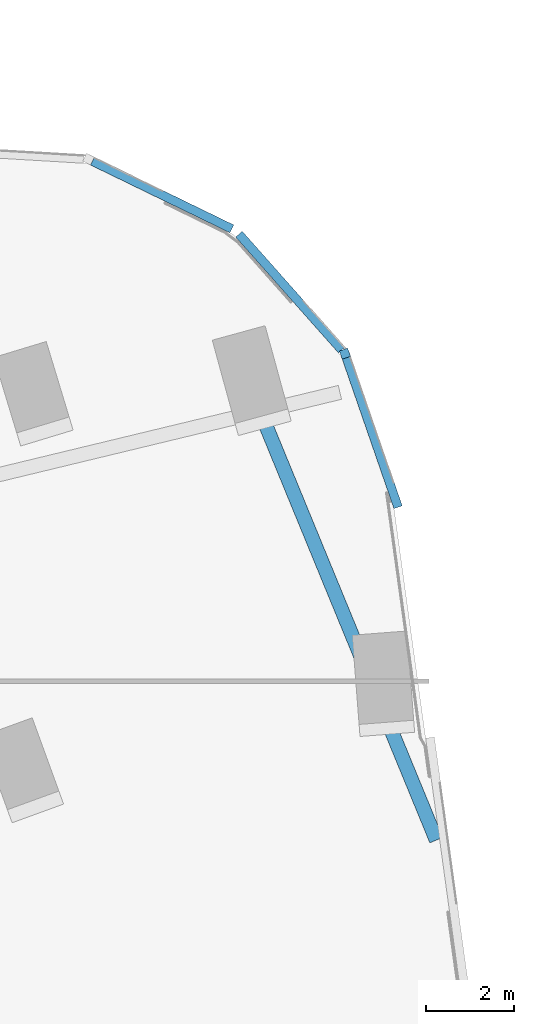
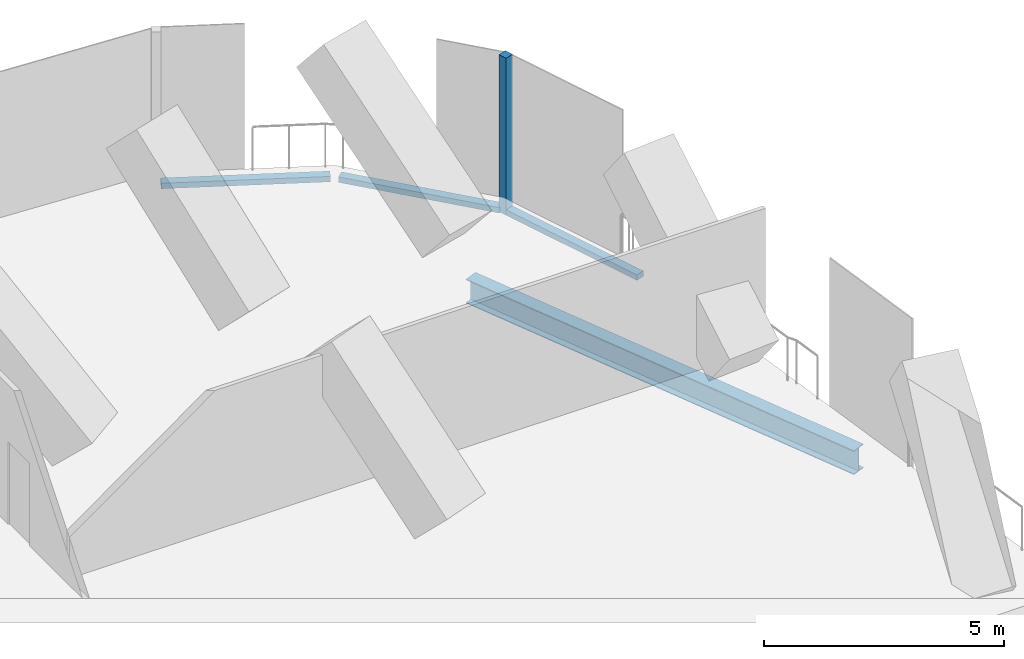
# One storey, part 12 of 29: 4 members, 1 beam, 3 elements without a shape of their own.
"""IFC4 building model written with IfcOpenShell, lengths in metres."""

from ifc_helpers import new_model, si_unit, direction, frame, origin, origin_2d, place, context, subcontext, project, spatial, rectangle, i_section, extrude, material, material_profile, profile_set, type_object, element, aggregate, save


model = new_model("IFC4")

# Units and contexts
model_context = context("Model", 3, precision=1e-05, world=origin(), true_north=direction((0.0, 1.0)))
body_context = subcontext(model_context, "Body", "Model", "MODEL_VIEW")
ifc_project = project(units=[si_unit("LENGTHUNIT", "METRE"), si_unit("AREAUNIT", "SQUARE_METRE"), si_unit("VOLUMEUNIT", "CUBIC_METRE"), si_unit("PLANEANGLEUNIT", "RADIAN"), si_unit("MASSUNIT", "GRAM", prefix="KILO")], contexts=[model_context])

# Site, building, storey
site_placement = place(None, origin())
site = spatial("IfcSite", under=ifc_project, at=site_placement, CompositionType="ELEMENT")
building_placement = place(site_placement, origin())
building = spatial("IfcBuilding", under=site, at=building_placement, Name="Orlundy Tower", CompositionType="ELEMENT")
storey_placement = place(building_placement, frame((0.0, 0.0, 184.60009765625)))
storey = spatial("IfcBuildingStorey", under=building, at=storey_placement, Name="L48", CompositionType="ELEMENT", Elevation=184.60009765625)

# Beam
ifc_material_1 = material(Name="Steel ASTM A992 Gr 50", Category="steel")
ifc_material_profile_1 = material_profile(ifc_material_1, i_section(OverallWidth=0.32373046875, OverallDepth=0.611083984375, WebThickness=0.0126953125, FlangeThickness=0.01904296875, at=origin_2d()), Name="W24X104")
ifc_profile_set_1 = profile_set([ifc_material_profile_1], Name="Steel ASTM A992 Gr 50")
beam_type = type_object("IfcBeamType", Name="CANTILEVER GIRDER beam W24X104", PredefinedType="BEAM", material=ifc_profile_set_1)
beam_placement = place(storey_placement, frame((39.654296875, 8.3681640625, -0.7255859375), z_axis=(-0.380209034986, 0.924900583693, 0.0), x_axis=(-0.924900583693, -0.380209034986, 0.0)))
element("IfcBeam", 1, at=beam_placement, inside=storey, type_object=beam_type, Name="Cantilever girder C-A4-5 L48", PredefinedType="BEAM", context=body_context, shape_type="SweptSolid", body=[
    extrude(i_section(OverallWidth=0.32373046875, OverallDepth=0.611083984375, WebThickness=0.0126953125, FlangeThickness=0.01904296875, at=origin_2d()), origin(), (0.0, 0.0, 1.0), 10.219482421875),
])

# Curtain wall, member
ifc_material_2 = material(Name="Aluminium bronze anodised", Category="aluminium")
curtain_wall_type = type_object("IfcCurtainWallType", Name="CW5 wall", PredefinedType="NOTDEFINED", material=ifc_material_2)
curtain_wall_1_placement = place(storey_placement, origin())
curtain_wall_1 = element("IfcCurtainWall", 2, at=curtain_wall_1_placement, inside=storey, type_object=curtain_wall_type, Name="CW5 run 020", PredefinedType="NOTDEFINED")
ifc_material_3 = material(Name="Aluminium bronze anodised", Category="aluminium")
ifc_material_profile_2 = material_profile(ifc_material_3, rectangle(XDim=0.199951171875, YDim=0.199951171875, at=origin_2d()), Name="CW5 corner post 200x200")
ifc_profile_set_2 = profile_set([ifc_material_profile_2], Name="Aluminium bronze anodised")
member_type_1 = type_object("IfcMemberType", Name="CW5 corner post 200x200", PredefinedType="MULLION", material=ifc_profile_set_2)
member_1_placement = place(storey_placement, frame((37.56689453125, 19.4765625, -0.420166015625), z_axis=(0.0, 0.0, 1.0), x_axis=(0.945034174317, 0.32697157273, 0.0)))
member_1 = element("IfcMember", 3, at=member_1_placement, type_object=member_type_1, Name="CW5 mullion 30", PredefinedType="MULLION", context=body_context, shape_type="SweptSolid", body=[
    extrude(rectangle(XDim=0.199951171875, YDim=0.199951171875, at=origin_2d()), origin(), (0.0, 0.0, 1.0), 4.0),
])

curtain_wall_2_placement = place(storey_placement, origin())
curtain_wall_2 = element("IfcCurtainWall", 4, at=curtain_wall_2_placement, inside=storey, type_object=curtain_wall_type, Name="CW5 run 018", PredefinedType="NOTDEFINED")
ifc_material_4 = material(Name="Aluminium bronze anodised", Category="aluminium")
ifc_material_profile_3 = material_profile(ifc_material_4, rectangle(XDim=0.199951171875, YDim=0.139892578125, at=origin_2d()), Name="CW5 transom 200x140")
ifc_profile_set_3 = profile_set([ifc_material_profile_3], Name="Aluminium bronze anodised")
member_type_2 = type_object("IfcMemberType", Name="CW5 transom 200x140", PredefinedType="USERDEFINED", material=ifc_profile_set_3)
member_2_placement = place(storey_placement, frame((31.80078125, 23.872802734375, -0.35009765625), z_axis=(0.8993531589, -0.437222935785, 0.0), x_axis=(0.437222935785, 0.8993531589, 0.0)))
member_2 = element("IfcMember", 5, at=member_2_placement, type_object=member_type_2, Name="CW5 transom", ObjectType="TRANSOM", PredefinedType="USERDEFINED", context=body_context, shape_type="SweptSolid", body=[
    extrude(rectangle(XDim=0.199951171875, YDim=0.139892578125, at=origin_2d()), origin(), (0.0, 0.0, 1.0), 3.53857421875),
])
aggregate(curtain_wall_2, [member_2])

curtain_wall_3_placement = place(storey_placement, origin())
curtain_wall_3 = element("IfcCurtainWall", 6, at=curtain_wall_3_placement, inside=storey, type_object=curtain_wall_type, Name="CW5 run 019", PredefinedType="NOTDEFINED")
member_3_placement = place(storey_placement, frame((35.14697265625, 22.203369140625, -0.35009765625), z_axis=(0.663755363217, -0.747949742831, 0.0), x_axis=(0.747949742831, 0.663755363217, 0.0)))
member_3 = element("IfcMember", 7, at=member_3_placement, type_object=member_type_2, Name="CW5 transom", ObjectType="TRANSOM", PredefinedType="USERDEFINED", context=body_context, shape_type="SweptSolid", body=[
    extrude(rectangle(XDim=0.199951171875, YDim=0.139892578125, at=origin_2d()), origin(), (0.0, 0.0, 1.0), 3.53759765625),
])
aggregate(curtain_wall_3, [member_3])

# Member
member_4_placement = place(storey_placement, frame((37.599609375, 19.382080078125, -0.35009765625), z_axis=(0.326996788057, -0.94502544971, 0.0), x_axis=(0.94502544971, 0.326996788057, 0.0)))
member_4 = element("IfcMember", 8, at=member_4_placement, type_object=member_type_2, Name="CW5 transom", ObjectType="TRANSOM", PredefinedType="USERDEFINED", context=body_context, shape_type="SweptSolid", body=[
    extrude(rectangle(XDim=0.199951171875, YDim=0.139892578125, at=origin_2d()), origin(), (0.0, 0.0, 1.0), 3.611328125),
])

aggregate(curtain_wall_1, [member_1, member_4])

save(model, "model.ifc")
